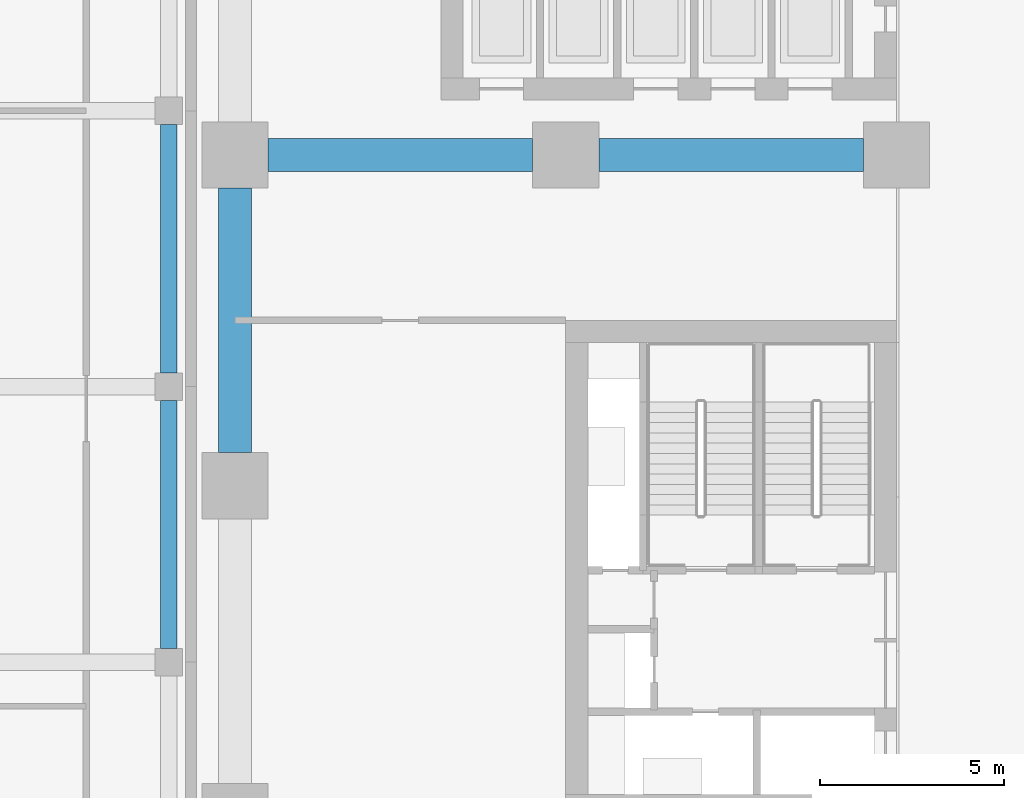
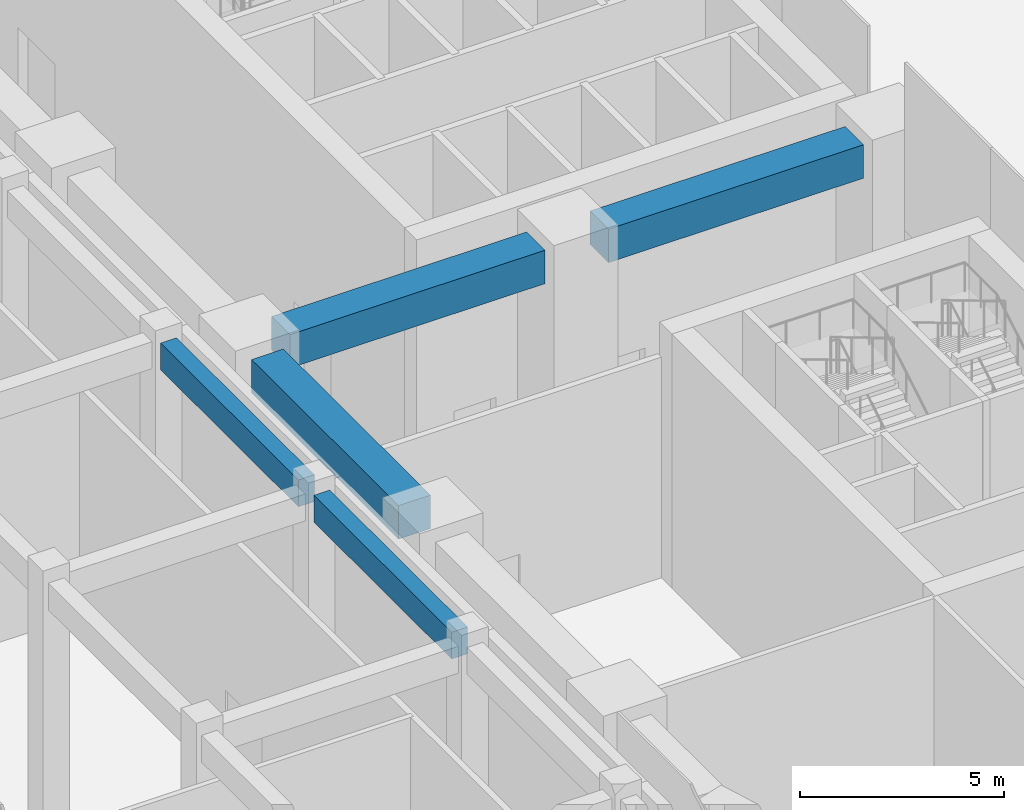
# One storey, part 13 of 64: 5 beams.
"""IFC4 building model written with IfcOpenShell, lengths in metres."""

from ifc_helpers import new_model, si_unit, direction, frame, origin, origin_2d, place, context, subcontext, project, spatial, rectangle, extrude, material, material_profile, profile_set, type_object, element, save


model = new_model("IFC4")

# Units and contexts
model_context = context("Model", 3, precision=1e-05, world=origin(), true_north=direction((0.0, 1.0)))
body_context = subcontext(model_context, "Body", "Model", "MODEL_VIEW")
ifc_project = project(units=[si_unit("LENGTHUNIT", "METRE"), si_unit("AREAUNIT", "SQUARE_METRE"), si_unit("VOLUMEUNIT", "CUBIC_METRE"), si_unit("PLANEANGLEUNIT", "RADIAN"), si_unit("MASSUNIT", "GRAM", prefix="KILO")], contexts=[model_context])

# Site, building, storey
site_placement = place(None, origin())
site = spatial("IfcSite", under=ifc_project, at=site_placement, CompositionType="ELEMENT")
building_placement = place(site_placement, origin())
building = spatial("IfcBuilding", under=site, at=building_placement, Name="Tessera Arch", CompositionType="ELEMENT")
storey_placement = place(building_placement, origin())
storey = spatial("IfcBuildingStorey", under=building, at=storey_placement, Name="L00", CompositionType="ELEMENT", Elevation=0.0)

# Beams
ifc_material_1 = material(Name="Concrete C40/50", Category="concrete")
ifc_material_profile_1 = material_profile(ifc_material_1, rectangle(XDim=0.449951171875, YDim=0.800048828125, at=origin_2d()), Name="Museum beam 450 x 800 Concrete C40/50")
ifc_profile_set_1 = profile_set([ifc_material_profile_1], Name="Concrete C40/50")
beam_type_1 = type_object("IfcBeamType", Name="Museum beam 450 x 800 Concrete C40/50", PredefinedType="BEAM", material=ifc_profile_set_1)
for number, where, z_axis, x_axis, name in (
    (1, (-1.800048828125, 13.574951171875, 7.18994140625), (0.0, 1.0, 0.0), (-1.0, 0.0, 0.0), "Museum beam L00 40"),
    (2, (-1.800048828125, 21.074951171875, 7.18994140625), (0.0, 1.0, 0.0), (-1.0, 0.0, 0.0), "Museum beam L00 41"),
):
    element("IfcBeam", number, at=place(storey_placement, frame(where, z_axis=z_axis, x_axis=x_axis)), inside=storey, type_object=beam_type_1, Name=name, PredefinedType="BEAM", context=body_context, shape_type="SweptSolid", body=[
        extrude(rectangle(XDim=0.449951171875, YDim=0.800048828125, at=origin_2d()), origin(), (0.0, 0.0, 1.0), 6.75),
    ])
ifc_material_2 = material(Name="Concrete C80/95", Category="concrete")
ifc_material_profile_2 = material_profile(ifc_material_2, rectangle(XDim=0.89990234375, YDim=1.0, at=origin_2d()), Name="RC spandrel beam 900 x 1000 Concrete C80/95")
ifc_profile_set_2 = profile_set([ifc_material_profile_2], Name="Concrete C80/95")
beam_type_2 = type_object("IfcBeamType", Name="RC spandrel beam 900 x 1000 Concrete C80/95", PredefinedType="BEAM", material=ifc_profile_set_2)
for number, where, z_axis, x_axis, name in (
    (3, (0.0, 26.10009765625, 7.090087890625), (0.0, -1.0, 0.0), (1.0, 0.0, 0.0), "Spandrel beam L00 W0.0/3"),
    (4, (0.89990234375, 27.0, 7.090087890625), (1.0, 0.0, 0.0), (0.0, 1.0, 0.0), "Interface beam L00 I1C1D-C2D"),
    (5, (9.89990234375, 27.0, 7.090087890625), (1.0, 0.0, 0.0), (0.0, 1.0, 0.0), "Interface beam L00 I1C2D-C3D"),
):
    element("IfcBeam", number, at=place(storey_placement, frame(where, z_axis=z_axis, x_axis=x_axis)), inside=storey, type_object=beam_type_2, Name=name, PredefinedType="BEAM", context=body_context, shape_type="SweptSolid", body=[
        extrude(rectangle(XDim=0.89990234375, YDim=1.0, at=origin_2d()), origin(), (0.0, 0.0, 1.0), 7.2001953125),
    ])

save(model, "model.ifc")
